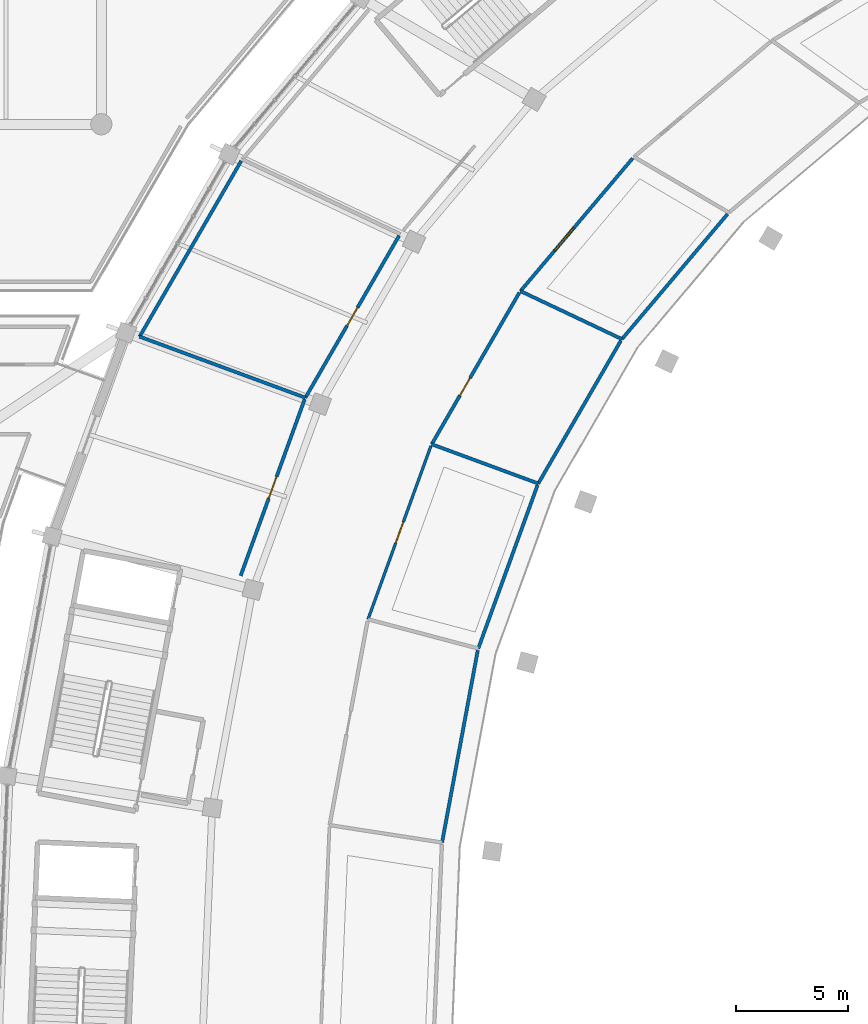
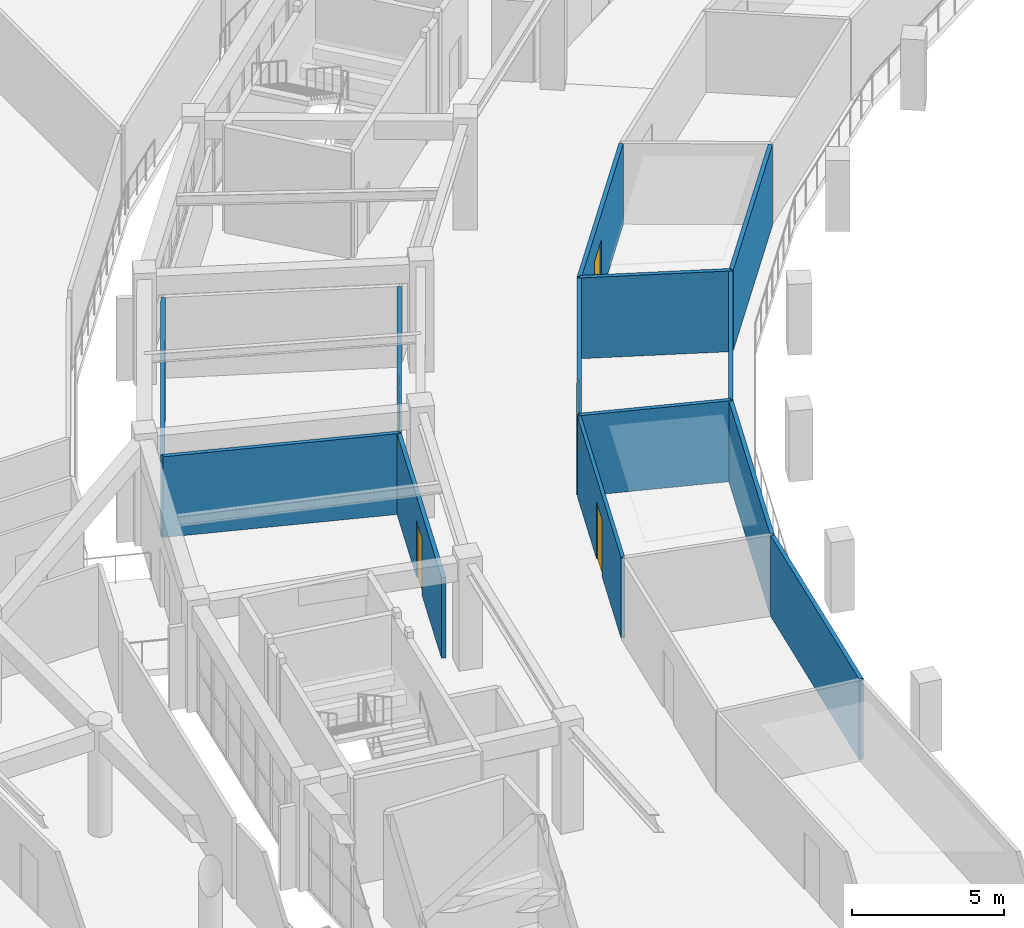
# One storey, part 96 of 141: 13 walls, 5 doors, 5 openings.
"""IFC4 building model written with IfcOpenShell, lengths in metres."""

from ifc_helpers import new_model, si_unit, direction, frame, frame_2d, origin, place, context, subcontext, project, spatial, rectangle, extrude, material, layer, layer_set, type_object, element, fill, save


model = new_model("IFC4")

# Units and contexts
model_context = context("Model", 3, precision=1e-05, world=origin(), true_north=direction((0.0, 1.0)))
body_context = subcontext(model_context, "Body", "Model", "MODEL_VIEW")
ifc_project = project(units=[si_unit("LENGTHUNIT", "METRE"), si_unit("AREAUNIT", "SQUARE_METRE"), si_unit("VOLUMEUNIT", "CUBIC_METRE"), si_unit("PLANEANGLEUNIT", "RADIAN"), si_unit("MASSUNIT", "GRAM", prefix="KILO")], contexts=[model_context])

# Site, building, storey
site_placement = place(None, origin())
site = spatial("IfcSite", under=ifc_project, at=site_placement, CompositionType="ELEMENT")
building_placement = place(site_placement, origin())
building = spatial("IfcBuilding", under=site, at=building_placement, Name="Mphavela Belvedere Stadium", CompositionType="ELEMENT")
storey_placement = place(building_placement, frame((0.0, 0.0, 14.699951171875)))
storey = spatial("IfcBuildingStorey", under=building, at=storey_placement, Name="L03", CompositionType="ELEMENT", Elevation=14.699951171875)

# Wall, opening, door
ifc_material_1 = material(Name="Moisture-resistant sanitary partition assembly")
ifc_layer_1 = layer(ifc_material_1, 0.125)
ifc_layer_set_1 = layer_set([ifc_layer_1], Name="Moisture-resistant sanitary partition assembly")
wall_type_1 = type_object("IfcWallType", Name="WAL-PART-125", PredefinedType="PARTITIONING", material=ifc_layer_set_1)
wall_1_placement = place(storey_placement, frame((28.967529296875, 109.856201171875, 0.0), z_axis=(0.0, 0.0, 1.0), x_axis=(0.341044733968, 0.940047067669, 0.0)))
wall_1 = element("IfcWall", 1, at=wall_1_placement, inside=storey, type_object=wall_type_1, Name="Room L03-91 corridor partition", PredefinedType="PARTITIONING", context=body_context, shape_type="SweptSolid", body=[
    extrude(rectangle(XDim=8.25390625, YDim=0.125, at=frame_2d((4.126953125, 0.0))), origin(), (0.0, 0.0, 1.0), 3.25),
])
opening_1_placement = place(wall_1_placement, frame((3.636962890625, 0.0, 0.0)))
opening_1 = element("IfcOpeningElement", 2, at=opening_1_placement, cuts=wall_1, Name="Opening ID-279", PredefinedType="OPENING", context=body_context, shape_type="SweptSolid", body=[
    extrude(rectangle(XDim=0.97998046875, YDim=2.300048828125, at=frame_2d((0.489990234375, 1.14990234375))), frame((0.0, 0.072509765625, 0.0), z_axis=(0.0, -1.0, 0.0), x_axis=(1.0, 0.0, 0.0)), (0.0, 0.0, 1.0), 0.14501953125),
])
ifc_material_2 = material(Name="Hardwood acoustic timber doorset", Category="wood")
door_type_1 = type_object("IfcDoorType", Name="DR-INT-27", OperationType="NOTDEFINED", PredefinedType="DOOR", material=ifc_material_2)
door_1_placement = place(opening_1_placement, origin())
door_1 = element("IfcDoor", 3, at=door_1_placement, inside=storey, type_object=door_type_1, Name="Room L03-91 entrance door ID-279", OperationType="SINGLE_SWING_LEFT", OverallHeight=2.300048828125, OverallWidth=0.97998046875, PredefinedType="DOOR", context=body_context, shape_type="SweptSolid", body=[
    extrude(rectangle(XDim=0.97998046875, YDim=2.300048828125, at=frame_2d((0.489990234375, 1.14990234375))), frame((0.0, 0.02490234375, 0.0), z_axis=(0.0, -1.0, 0.0), x_axis=(1.0, 0.0, 0.0)), (0.0, 0.0, 1.0), 0.050048828125),
])
fill(opening_1, door_1)

ifc_material_3 = material(Name="Acoustic gypsum stud partition assembly")
ifc_layer_2 = layer(ifc_material_3, 0.14990234375)
ifc_layer_set_2 = layer_set([ifc_layer_2], Name="Acoustic gypsum stud partition assembly")
wall_type_2 = type_object("IfcWallType", Name="WAL-PART-150", PredefinedType="PARTITIONING", material=ifc_layer_set_2)
wall_2_placement = place(storey_placement, frame((35.787841796875, 124.5380859375, 0.0), z_axis=(0.0, 0.0, 1.0), x_axis=(0.645180817826, 0.764029915847, 0.0)))
wall_2 = element("IfcWall", 4, at=wall_2_placement, inside=storey, type_object=wall_type_2, Name="Room L03-85 corridor partition", PredefinedType="PARTITIONING", context=body_context, shape_type="SweptSolid", body=[
    extrude(rectangle(XDim=7.779296875, YDim=0.14990234375, at=frame_2d((3.8896484375, 0.0))), origin(), (0.0, 0.0, 1.0), 3.25),
])
opening_2_placement = place(wall_2_placement, frame((2.356689453125, 0.0, 0.0)))
opening_2 = element("IfcOpeningElement", 5, at=opening_2_placement, cuts=wall_2, Name="Opening ID-275", PredefinedType="OPENING", context=body_context, shape_type="SweptSolid", body=[
    extrude(rectangle(XDim=1.320068359375, YDim=2.199951171875, at=frame_2d((0.66015625, 1.10009765625))), frame((0.0, 0.0849609375, 0.0), z_axis=(0.0, -1.0, 0.0), x_axis=(1.0, 0.0, 0.0)), (0.0, 0.0, 1.0), 0.169921875),
])
ifc_material_4 = material(Name="Hardwood acoustic timber doorset", Category="wood")
door_type_2 = type_object("IfcDoorType", Name="DR-INT-23", OperationType="NOTDEFINED", PredefinedType="DOOR", material=ifc_material_4)
door_2_placement = place(opening_2_placement, origin())
door_2 = element("IfcDoor", 6, at=door_2_placement, inside=storey, type_object=door_type_2, Name="Room L03-85 entrance door ID-275", OperationType="SINGLE_SWING_LEFT", OverallHeight=2.199951171875, OverallWidth=1.320068359375, PredefinedType="DOOR", context=body_context, shape_type="SweptSolid", body=[
    extrude(rectangle(XDim=1.320068359375, YDim=2.199951171875, at=frame_2d((0.66015625, 1.10009765625))), frame((0.0, 0.02490234375, 0.0), z_axis=(0.0, -1.0, 0.0), x_axis=(1.0, 0.0, 0.0)), (0.0, 0.0, 1.0), 0.050048828125),
])
fill(opening_2, door_2)

wall_3_placement = place(storey_placement, frame((31.81689453125, 117.687744140625, 0.0), z_axis=(0.0, 0.0, 1.0), x_axis=(0.500584301803, 0.865687794063, 0.0)))
wall_3 = element("IfcWall", 7, at=wall_3_placement, inside=storey, type_object=wall_type_2, Name="Room L03-88 corridor partition", PredefinedType="PARTITIONING", context=body_context, shape_type="SweptSolid", body=[
    extrude(rectangle(XDim=7.8369140625, YDim=0.14990234375, at=frame_2d((3.91845703125, 0.0))), origin(), (0.0, 0.0, 1.0), 3.25),
])
opening_3_placement = place(wall_3_placement, frame((2.52392578125, 0.0, 0.0)))
opening_3 = element("IfcOpeningElement", 8, at=opening_3_placement, cuts=wall_3, Name="Opening ID-277", PredefinedType="OPENING", context=body_context, shape_type="SweptSolid", body=[
    extrude(rectangle(XDim=0.89990234375, YDim=2.300048828125, at=frame_2d((0.449951171875, 1.14990234375))), frame((0.0, 0.0849609375, 0.0), z_axis=(0.0, -1.0, 0.0), x_axis=(1.0, 0.0, 0.0)), (0.0, 0.0, 1.0), 0.169921875),
])
ifc_material_5 = material(Name="Hardwood acoustic timber doorset", Category="wood")
door_type_3 = type_object("IfcDoorType", Name="DR-INT-25", OperationType="NOTDEFINED", PredefinedType="DOOR", material=ifc_material_5)
door_3_placement = place(opening_3_placement, origin())
door_3 = element("IfcDoor", 9, at=door_3_placement, inside=storey, type_object=door_type_3, Name="Room L03-88 entrance door ID-277", OperationType="SINGLE_SWING_LEFT", OverallHeight=2.300048828125, OverallWidth=0.89990234375, PredefinedType="DOOR", context=body_context, shape_type="SweptSolid", body=[
    extrude(rectangle(XDim=0.89990234375, YDim=2.300048828125, at=frame_2d((0.449951171875, 1.14990234375))), frame((0.0, 0.02490234375, 0.0), z_axis=(0.0, -1.0, 0.0), x_axis=(1.0, 0.0, 0.0)), (0.0, 0.0, 1.0), 0.050048828125),
])
fill(opening_3, door_3)

wall_4_placement = place(storey_placement, frame((30.35888671875, 127.01904296875, 0.0), z_axis=(0.0, 0.0, 1.0), x_axis=(-0.500559280672, -0.865702262059, 0.0)))
wall_4 = element("IfcWall", 10, at=wall_4_placement, inside=storey, type_object=wall_type_2, Name="Room L03-89 corridor partition", PredefinedType="PARTITIONING", context=body_context, shape_type="SweptSolid", body=[
    extrude(rectangle(XDim=8.37451171875, YDim=0.14990234375, at=frame_2d((4.187255859375, 0.0))), origin(), (0.0, 0.0, 1.0), 3.25),
])
opening_4_placement = place(wall_4_placement, frame((3.71728515625, 0.0, 0.0)))
opening_4 = element("IfcOpeningElement", 11, at=opening_4_placement, cuts=wall_4, Name="Opening ID-278", PredefinedType="OPENING", context=body_context, shape_type="SweptSolid", body=[
    extrude(rectangle(XDim=0.93994140625, YDim=2.300048828125, at=frame_2d((0.469970703125, 1.14990234375))), frame((0.0, 0.0849609375, 0.0), z_axis=(0.0, -1.0, 0.0), x_axis=(1.0, 0.0, 0.0)), (0.0, 0.0, 1.0), 0.169921875),
])
ifc_material_6 = material(Name="Hardwood acoustic timber doorset", Category="wood")
door_type_4 = type_object("IfcDoorType", Name="DR-INT-26", OperationType="NOTDEFINED", PredefinedType="DOOR", material=ifc_material_6)
door_4_placement = place(opening_4_placement, origin())
door_4 = element("IfcDoor", 12, at=door_4_placement, inside=storey, type_object=door_type_4, Name="Room L03-89 entrance door ID-278", OperationType="SINGLE_SWING_RIGHT", OverallHeight=2.300048828125, OverallWidth=0.93994140625, PredefinedType="DOOR", context=body_context, shape_type="SweptSolid", body=[
    extrude(rectangle(XDim=0.93994140625, YDim=2.300048828125, at=frame_2d((0.469970703125, 1.14990234375))), frame((0.0, 0.02490234375, 0.0), z_axis=(0.0, -1.0, 0.0), x_axis=(1.0, 0.0, 0.0)), (0.0, 0.0, 1.0), 0.050048828125),
])
fill(opening_4, door_4)

wall_5_placement = place(storey_placement, frame((26.133544921875, 119.6962890625, 0.0), z_axis=(0.0, 0.0, 1.0), x_axis=(-0.341044550343, -0.940047134287, 0.0)))
wall_5 = element("IfcWall", 13, at=wall_5_placement, inside=storey, type_object=wall_type_2, Name="Room L03-92 corridor partition", PredefinedType="PARTITIONING", context=body_context, shape_type="SweptSolid", body=[
    extrude(rectangle(XDim=8.39208984375, YDim=0.14990234375, at=frame_2d((4.196044921875, 0.0))), origin(), (0.0, 0.0, 1.0), 3.25),
])
opening_5_placement = place(wall_5_placement, frame((3.68603515625, 0.0, 0.0)))
opening_5 = element("IfcOpeningElement", 14, at=opening_5_placement, cuts=wall_5, Name="Opening ID-280", PredefinedType="OPENING", context=body_context, shape_type="SweptSolid", body=[
    extrude(rectangle(XDim=1.02001953125, YDim=2.300048828125, at=frame_2d((0.510009765625, 1.14990234375))), frame((0.0, 0.0849609375, 0.0), z_axis=(0.0, -1.0, 0.0), x_axis=(1.0, 0.0, 0.0)), (0.0, 0.0, 1.0), 0.169921875),
])
ifc_material_7 = material(Name="Hardwood acoustic timber doorset", Category="wood")
door_type_5 = type_object("IfcDoorType", Name="DR-INT-28", OperationType="NOTDEFINED", PredefinedType="DOOR", material=ifc_material_7)
door_5_placement = place(opening_5_placement, origin())
door_5 = element("IfcDoor", 15, at=door_5_placement, inside=storey, type_object=door_type_5, Name="Room L03-92 entrance door ID-280", OperationType="SINGLE_SWING_RIGHT", OverallHeight=2.300048828125, OverallWidth=1.02001953125, PredefinedType="DOOR", context=body_context, shape_type="SweptSolid", body=[
    extrude(rectangle(XDim=1.02001953125, YDim=2.300048828125, at=frame_2d((0.510009765625, 1.14990234375))), frame((0.0, 0.02490234375, 0.0), z_axis=(0.0, -1.0, 0.0), x_axis=(1.0, 0.0, 0.0)), (0.0, 0.0, 1.0), 0.050048828125),
])
fill(opening_5, door_5)

# Walls
wall_6_placement = place(storey_placement, frame((45.0537109375, 127.989990234375, 0.0), z_axis=(0.0, 0.0, 1.0), x_axis=(-0.645177360874, -0.764032835038, 0.0)))
element("IfcWall", 16, at=wall_6_placement, inside=storey, type_object=wall_type_2, Name="Room divider partition L03-0495", PredefinedType="PARTITIONING", context=body_context, shape_type="SweptSolid", body=[
    extrude(rectangle(XDim=7.3291015625, YDim=0.14990234375, at=frame_2d((3.66455078125, 0.0))), origin(), (0.0, 0.0, 1.0), 3.25),
])
wall_7_placement = place(storey_placement, frame((40.3251953125, 122.390380859375, 0.0), z_axis=(0.0, 0.0, 1.0), x_axis=(-0.90385861711, 0.427831275476, 0.0)))
element("IfcWall", 17, at=wall_7_placement, inside=storey, type_object=wall_type_2, Name="Room divider partition L03-0496", PredefinedType="PARTITIONING", context=body_context, shape_type="SweptSolid", body=[
    extrude(rectangle(XDim=5.02001953125, YDim=0.14990234375, at=frame_2d((2.510009765625, 0.0))), origin(), (0.0, 0.0, 1.0), 3.25),
])
wall_8_placement = place(storey_placement, frame((40.279296875, 122.323486328125, 0.0), z_axis=(0.0, 0.0, 1.0), x_axis=(-0.500555224894, -0.865704607144, 0.0)))
element("IfcWall", 18, at=wall_8_placement, inside=storey, type_object=wall_type_2, Name="Room divider partition L03-0499", PredefinedType="PARTITIONING", context=body_context, shape_type="SweptSolid", body=[
    extrude(rectangle(XDim=7.38330078125, YDim=0.14990234375, at=frame_2d((3.691650390625, 0.0))), origin(), (0.0, 0.0, 1.0), 3.25),
])
wall_9_placement = place(storey_placement, frame((36.58349609375, 115.931640625, 0.0), z_axis=(0.0, 0.0, 1.0), x_axis=(-0.938343937369, 0.345703131607, 0.0)))
element("IfcWall", 19, at=wall_9_placement, inside=storey, type_object=wall_type_2, Name="Room divider partition L03-0500", PredefinedType="PARTITIONING", context=body_context, shape_type="SweptSolid", body=[
    extrude(rectangle(XDim=5.079833984375, YDim=0.14990234375, at=frame_2d((2.5400390625, 0.0))), origin(), (0.0, 0.0, 1.0), 3.25),
])
wall_10_placement = place(storey_placement, frame((26.1669921875, 119.769287109375, 0.0), z_axis=(0.0, 0.0, 1.0), x_axis=(-0.938352081903, 0.34568102405, 0.0)))
element("IfcWall", 20, at=wall_10_placement, inside=storey, type_object=wall_type_2, Name="Room divider partition L03-0501", PredefinedType="PARTITIONING", context=body_context, shape_type="SweptSolid", body=[
    extrude(rectangle(XDim=7.90380859375, YDim=0.14990234375, at=frame_2d((3.951904296875, 0.0))), origin(), (0.0, 0.0, 1.0), 3.25),
])
wall_11_placement = place(storey_placement, frame((18.75048828125, 122.50146484375, 0.0), z_axis=(0.0, 0.0, 1.0), x_axis=(0.500574107164, 0.865693689036, 0.0)))
element("IfcWall", 21, at=wall_11_placement, inside=storey, type_object=wall_type_2, Name="Room divider partition L03-0502", PredefinedType="PARTITIONING", context=body_context, shape_type="SweptSolid", body=[
    extrude(rectangle(XDim=9.080322265625, YDim=0.14990234375, at=frame_2d((4.5400390625, 0.0))), origin(), (0.0, 0.0, 1.0), 3.25),
])
wall_12_placement = place(storey_placement, frame((36.55029296875, 115.858642578125, 0.0), z_axis=(0.0, 0.0, 1.0), x_axis=(-0.341049747433, -0.940045248792, 0.0)))
element("IfcWall", 22, at=wall_12_placement, inside=storey, type_object=wall_type_2, Name="Room divider partition L03-0503", PredefinedType="PARTITIONING", context=body_context, shape_type="SweptSolid", body=[
    extrude(rectangle(XDim=7.7763671875, YDim=0.14990234375, at=frame_2d((3.88818359375, 0.0))), origin(), (0.0, 0.0, 1.0), 3.25),
])
wall_13_placement = place(storey_placement, frame((33.877197265625, 108.471435546875, 0.0), z_axis=(0.0, 0.0, 1.0), x_axis=(-0.18261493362, -0.983184512703, 0.0)))
element("IfcWall", 23, at=wall_13_placement, inside=storey, type_object=wall_type_2, Name="Room divider partition L03-0505", PredefinedType="PARTITIONING", context=body_context, shape_type="SweptSolid", body=[
    extrude(rectangle(XDim=8.747314453125, YDim=0.14990234375, at=frame_2d((4.37353515625, 0.0))), origin(), (0.0, 0.0, 1.0), 3.25),
])

save(model, "model.ifc")
